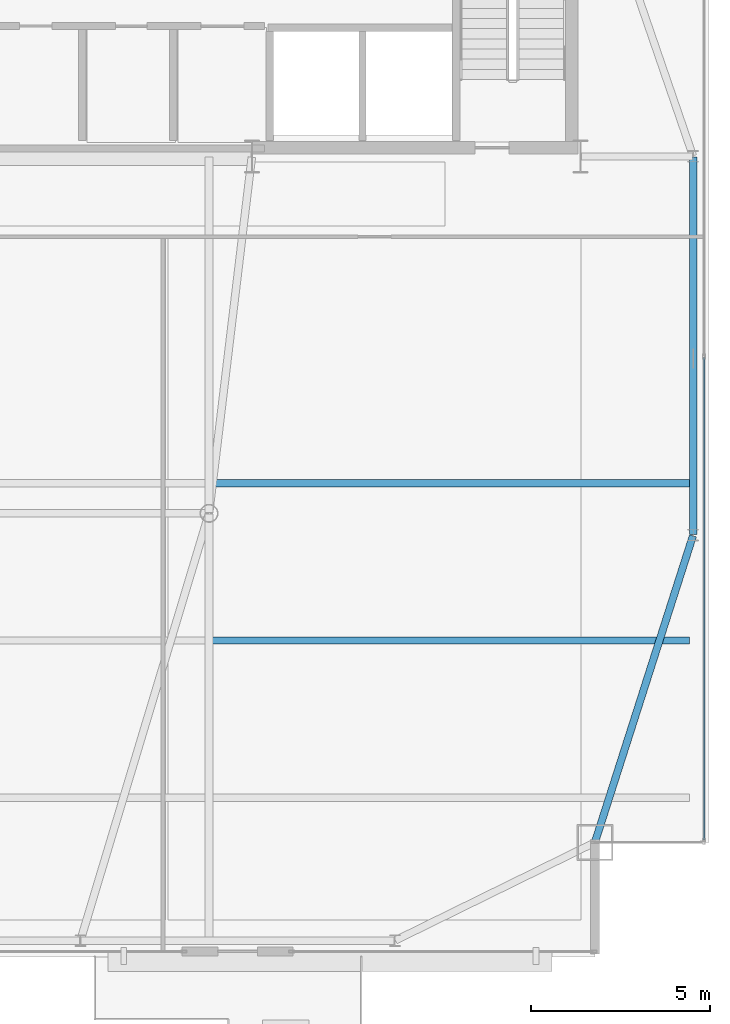
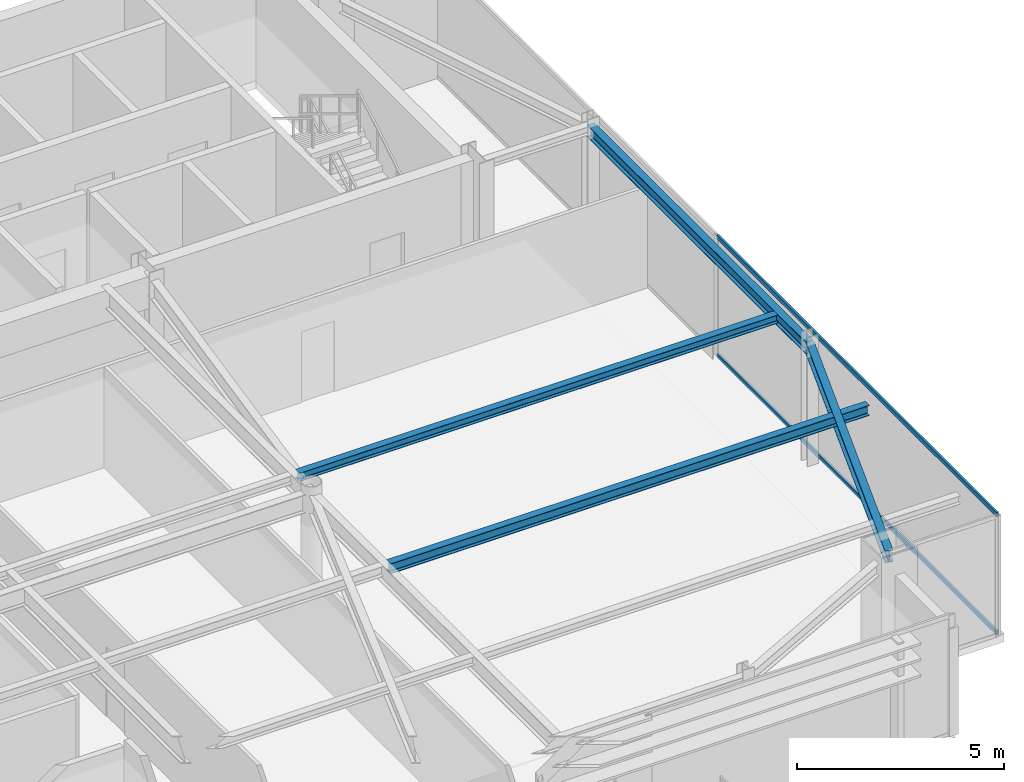
# One storey, part 13 of 23: 4 beams, 2 members, 1 element without a shape of its own.
"""IFC4 building model written with IfcOpenShell, lengths in metres."""

import ifcopenshell
import ifcopenshell.guid

model = None  # the IFC model being written
_history = None  # IfcOwnerHistory: only IFC2X3 demands one
_inside = {}  # id of a spatial element -> (the spatial element, [elements in it])
_under = {}  # id of a project, library or spatial element -> (it, [spatial elements below it])
_declared = {}  # id of a project -> (the project, [libraries it declares])
_typed = {}  # id of a type object -> (the type object, [elements of that type])
_made_of = {}  # id of a material, layer set ... -> (it, [elements and type objects made of it])


def new_model(schema):
    """Start an empty IFC model of exactly this schema.

    Asked for "IFC4X3", IfcOpenShell would pick the latest addendum, in which some entities
    have other attributes; the version numbers below select the first issue.
    IFC2X3 requires an IfcOwnerHistory on every rooted entity: one is made here for all.
    """
    global model, _history
    if schema == "IFC4X3":
        model = ifcopenshell.file(schema_version=(4, 3, 0, 0))
    else:
        model = ifcopenshell.file(schema=schema)
    _inside.clear()
    _under.clear()
    _declared.clear()
    _typed.clear()
    _made_of.clear()
    _history = None
    if model.schema == "IFC2X3":
        org = make("IfcOrganization", Name="unknown")
        user = make(
            "IfcPersonAndOrganization",
            ThePerson=make("IfcPerson", FamilyName="unknown"),
            TheOrganization=org,
        )
        app = make(
            "IfcApplication",
            ApplicationDeveloper=org,
            Version="unknown",
            ApplicationFullName="unknown",
            ApplicationIdentifier="unknown",
        )
        _history = make(
            "IfcOwnerHistory",
            OwningUser=user,
            OwningApplication=app,
            ChangeAction="ADDED",
            CreationDate=0,
        )
    return model


def make(cls, **values):
    """One entity of the class cls with the attributes given. An attribute that is None is left unset."""
    return model.create_entity(
        cls, **{name: value for name, value in values.items() if value is not None}
    )


def rooted(cls, **values):
    """An entity with a GlobalId (a new one), such as an element, a storey or a relation."""
    return make(cls, GlobalId=ifcopenshell.guid.new(), OwnerHistory=_history, **values)


def si_unit(unit_type, name, prefix=None):
    """IfcSIUnit, for example si_unit("LENGTHUNIT", "METRE", prefix="MILLI")."""
    return make("IfcSIUnit", UnitType=unit_type, Prefix=prefix, Name=name)


def assignment(units):
    """IfcUnitAssignment: the units of a project."""
    return None if units is None else make("IfcUnitAssignment", Units=units)


def point(xyz):
    """IfcCartesianPoint."""
    return None if xyz is None else make("IfcCartesianPoint", Coordinates=xyz)


def direction(xyz):
    """IfcDirection."""
    return None if xyz is None else make("IfcDirection", DirectionRatios=xyz)


def frame(location, z_axis=None, x_axis=None):
    """IfcAxis2Placement3D, a coordinate frame: its origin and axes. An axis left out is left unset."""
    return make(
        "IfcAxis2Placement3D",
        Location=point(location),
        Axis=direction(z_axis),
        RefDirection=direction(x_axis),
    )


def frame_2d(location, x_axis=None):
    """IfcAxis2Placement2D, a coordinate frame in the plane: its origin and x axis."""
    return make(
        "IfcAxis2Placement2D", Location=point(location), RefDirection=direction(x_axis)
    )


def origin():
    """The frame at (0, 0, 0) with its axes left unset."""
    return frame((0.0, 0.0, 0.0))


def origin_2d():
    """The frame at (0, 0) in the plane with its x axis left unset."""
    return frame_2d((0.0, 0.0))


def place(relative_to, where):
    """IfcLocalPlacement: puts the frame where relative to a parent placement (None: the world)."""
    return make(
        "IfcLocalPlacement", PlacementRelTo=relative_to, RelativePlacement=where
    )


def context(
    kind, dimensions, precision=None, world=None, true_north=None, identifier=None
):
    """IfcGeometricRepresentationContext, for example the 3D "Model" context."""
    return make(
        "IfcGeometricRepresentationContext",
        ContextIdentifier=identifier,
        ContextType=kind,
        CoordinateSpaceDimension=dimensions,
        Precision=precision,
        WorldCoordinateSystem=world,
        TrueNorth=true_north,
    )


def subcontext(parent, identifier, kind, view, scale=None):
    """IfcGeometricRepresentationSubContext, for example "Body" below "Model"."""
    return make(
        "IfcGeometricRepresentationSubContext",
        ContextIdentifier=identifier,
        ContextType=kind,
        ParentContext=parent,
        TargetScale=scale,
        TargetView=view,
    )


def project(units=None, contexts=None):
    """IfcProject with its units and contexts."""
    return rooted(
        "IfcProject",
        Name="project",
        RepresentationContexts=contexts,
        UnitsInContext=assignment(units),
    )


def spatial(cls, under=None, at=None, **own):
    """A site, building, storey or space (cls), placed at a placement, below another one or the project."""
    s = rooted(cls, ObjectPlacement=at, **own)
    if under is not None:
        _under.setdefault(under.id(), (under, []))[1].append(s)
    return s


def profile(cls, at=None, kind="AREA", **sizes):
    """A parametric profile (cls). Its sizes go by their IFC names, for example OverallWidth=200.0."""
    return make(cls, ProfileType=kind, Position=at, **sizes)


def hollow_rectangle(**sizes):
    """IfcRectangleHollowProfileDef."""
    return profile("IfcRectangleHollowProfileDef", **sizes)


def i_section(**sizes):
    """IfcIShapeProfileDef."""
    return profile("IfcIShapeProfileDef", **sizes)


def extrude(swept, where, along, depth):
    """IfcExtrudedAreaSolid: the profile swept, set in the frame where, extruded along a direction by depth."""
    return make(
        "IfcExtrudedAreaSolid",
        SweptArea=swept,
        Position=where,
        ExtrudedDirection=direction(along),
        Depth=depth,
    )


def shape(context_of_items, identifier, shape_type, items):
    """IfcShapeRepresentation: the items that make up one representation, for example the "Body"."""
    return make(
        "IfcShapeRepresentation",
        ContextOfItems=context_of_items,
        RepresentationIdentifier=identifier,
        RepresentationType=shape_type,
        Items=items,
    )


def source(mapping_origin, context_of_items, identifier, shape_type, items):
    """IfcRepresentationMap: a shape defined once, which mapped items show again and again."""
    return make(
        "IfcRepresentationMap",
        MappingOrigin=mapping_origin,
        MappedRepresentation=shape(context_of_items, identifier, shape_type, items),
    )


def transform(
    local_origin,
    x_axis=None,
    y_axis=None,
    z_axis=None,
    scale=None,
    scale2=None,
    scale3=None,
    uniform=True,
):
    """IfcCartesianTransformationOperator3D, or its non-uniform kind. x_axis, y_axis, z_axis: its Axis1, 2, 3."""
    if uniform:
        return make(
            "IfcCartesianTransformationOperator3D",
            Axis1=direction(x_axis),
            Axis2=direction(y_axis),
            LocalOrigin=point(local_origin),
            Scale=scale,
            Axis3=direction(z_axis),
        )
    return make(
        "IfcCartesianTransformationOperator3DnonUniform",
        Axis1=direction(x_axis),
        Axis2=direction(y_axis),
        LocalOrigin=point(local_origin),
        Scale=scale,
        Axis3=direction(z_axis),
        Scale2=scale2,
        Scale3=scale3,
    )


def mapped(mapping_source, mapping_target):
    """IfcMappedItem: shows the shape of a source again, moved by a transform."""
    return make(
        "IfcMappedItem", MappingSource=mapping_source, MappingTarget=mapping_target
    )


def material(Name=None, Category=None):
    """IfcMaterial."""
    return make("IfcMaterial", Name=Name, Category=Category)


def layer(
    of_material, thickness, ventilated=None, Name=None, Category=None, Priority=None
):
    """IfcMaterialLayer: one layer of a wall or slab, of a material (None: an air gap)."""
    return make(
        "IfcMaterialLayer",
        Material=of_material,
        LayerThickness=thickness,
        IsVentilated=ventilated,
        Name=Name,
        Category=Category,
        Priority=Priority,
    )


def layer_set(layers, Name=None):
    """IfcMaterialLayerSet."""
    return make("IfcMaterialLayerSet", MaterialLayers=layers, LayerSetName=Name)


def material_profile(
    of_material, cross_section, Name=None, Category=None, Priority=None
):
    """IfcMaterialProfile: a cross section and its material."""
    return make(
        "IfcMaterialProfile",
        Name=Name,
        Material=of_material,
        Profile=cross_section,
        Priority=Priority,
        Category=Category,
    )


def profile_set(profiles, Name=None, composite=None):
    """IfcMaterialProfileSet."""
    return make(
        "IfcMaterialProfileSet",
        Name=Name,
        MaterialProfiles=profiles,
        CompositeProfile=composite,
    )


def made_of(thing, what):
    """Note that an element or type object is made of a material, layer set ...; save() writes the relation."""
    if what is not None:
        _made_of.setdefault(what.id(), (what, []))[1].append(thing)
    return thing


def type_object(cls, material=None, **own):
    """A type object (cls), such as IfcWallType, which elements share."""
    return made_of(rooted(cls, **own), material)


def type_shapes(of_type, sources):
    """Give a type object the sources (RepresentationMaps) that its elements show as mapped items."""
    of_type.RepresentationMaps = sources


def element(
    cls,
    number,
    at=None,
    inside=None,
    cuts=None,
    type_object=None,
    material=None,
    context=None,
    identifier="Body",
    shape_type=None,
    held_by="IfcProductDefinitionShape",
    body=None,
    shapes=None,
    **own,
):
    """One element of the class cls, such as IfcWall. Its Tag is "e" and its number.

    at: its placement. inside: the storey or other place that contains it. cuts: it is an
    opening in that element (IfcRelVoidsElement). A single representation is given by context,
    identifier, shape_type and body (its items); several are given by shapes. held_by: the class
    of the entity that holds the representations. save() writes the other relations.
    """
    e = rooted(cls, Tag="e%d" % number, ObjectPlacement=at, **own)
    if body is not None:
        shapes = [shape(context, identifier, shape_type, body)]
    if shapes is not None:
        e.Representation = make(held_by, Representations=shapes)
    if inside is not None:
        _inside.setdefault(inside.id(), (inside, []))[1].append(e)
    if cuts is not None:
        rooted(
            "IfcRelVoidsElement", RelatingBuildingElement=cuts, RelatedOpeningElement=e
        )
    if type_object is not None:
        _typed.setdefault(type_object.id(), (type_object, []))[1].append(e)
    return made_of(e, material)


def aggregate(whole, parts):
    """IfcRelAggregates: a whole, such as a stair, and the parts it consists of."""
    return rooted("IfcRelAggregates", RelatingObject=whole, RelatedObjects=parts)


def save(model, path):
    """Write the relations noted so far, then the file.

    IfcRelAggregates (storeys below a building ...), IfcRelContainedInSpatialStructure (elements
    in a storey), IfcRelDefinesByType, IfcRelAssociatesMaterial and IfcRelDeclares: one each for
    every whole, place, type object, material and project.
    """
    for whole, parts in _under.values():
        aggregate(whole, parts)
    for where, things in _inside.values():
        rooted(
            "IfcRelContainedInSpatialStructure",
            RelatedElements=things,
            RelatingStructure=where,
        )
    for kind, things in _typed.values():
        rooted("IfcRelDefinesByType", RelatedObjects=things, RelatingType=kind)
    for what, things in _made_of.values():
        rooted("IfcRelAssociatesMaterial", RelatedObjects=things, RelatingMaterial=what)
    for by, libraries in _declared.values():
        rooted("IfcRelDeclares", RelatingContext=by, RelatedDefinitions=libraries)
    model.write(path)


model = new_model("IFC4")

# Units and contexts
model_context = context("Model", 3, precision=1e-05, world=origin(), true_north=direction((0.0, 1.0)))
body_context = subcontext(model_context, "Body", "Model", "MODEL_VIEW")
ifc_project = project(units=[si_unit("LENGTHUNIT", "METRE"), si_unit("AREAUNIT", "SQUARE_METRE"), si_unit("VOLUMEUNIT", "CUBIC_METRE"), si_unit("PLANEANGLEUNIT", "RADIAN"), si_unit("MASSUNIT", "GRAM", prefix="KILO")], contexts=[model_context])

# Site, building, storey
site_placement = place(None, origin())
site = spatial("IfcSite", under=ifc_project, at=site_placement, CompositionType="ELEMENT")
building_placement = place(site_placement, origin())
building = spatial("IfcBuilding", under=site, at=building_placement, Name="Varnel Quay Broadcast Tower", CompositionType="ELEMENT")
storey_placement = place(building_placement, frame((0.0, 0.0, 266.0)))
storey = spatial("IfcBuildingStorey", under=building, at=storey_placement, Name="L66", CompositionType="ELEMENT", Elevation=266.0)

# Beams
ifc_material_1 = material(Name="Structural Steel CSA G40.21 350W", Category="steel")
ifc_material_profile_1 = material_profile(ifc_material_1, i_section(OverallWidth=0.205078125, OverallDepth=0.35400390625, WebThickness=0.009521484375, FlangeThickness=0.016845703125, FilletRadius=0.012939453125, at=origin_2d()), Name="W360X79")
ifc_profile_set_1 = profile_set([ifc_material_profile_1], Name="Structural Steel CSA G40.21 350W")
beam_type_1 = type_object("IfcBeamType", Name="Beam_W360X79", PredefinedType="SPANDREL", material=ifc_profile_set_1)
shared_shape_1 = source(origin(), body_context, "Body", "SweptSolid", [
    extrude(i_section(OverallWidth=0.205078125, OverallDepth=0.35400390625, WebThickness=0.009521484375, FlangeThickness=0.016845703125, FilletRadius=0.012939453125, at=origin_2d()), origin(), (0.0, 0.0, 1.0), 8.989013671875),
])
beam_1_placement = place(storey_placement, frame((52.80615234375, 16.4189453125, 3.373046875), z_axis=(0.304568770162, 0.952490348635, 0.0), x_axis=(-0.952490348635, 0.304568770162, 0.0)))
element("IfcBeam", 1, at=beam_1_placement, inside=storey, type_object=beam_type_1, Name="L66 East Spandrel MC-SE-TC-E1", PredefinedType="SPANDREL", context=body_context, shape_type="MappedRepresentation", body=[
    mapped(shared_shape_1, transform((0.0, 0.0, 0.0), x_axis=(1.0, 0.0, 0.0), y_axis=(0.0, 1.0, 0.0), z_axis=(0.0, 0.0, 1.0), scale=1.0)),
])
shared_shape_2 = source(origin(), body_context, "Body", "SweptSolid", [
    extrude(i_section(OverallWidth=0.205078125, OverallDepth=0.35400390625, WebThickness=0.009521484375, FlangeThickness=0.016845703125, FilletRadius=0.012939453125, at=origin_2d()), origin(), (0.0, 0.0, 1.0), 10.56005859375),
])
type_shapes(beam_type_1, [shared_shape_1, shared_shape_2])
beam_2_placement = place(storey_placement, frame((55.550048828125, 25.02001953125, 3.373046875), z_axis=(0.0, 1.0, 0.0), x_axis=(-1.0, 0.0, 0.0)))
element("IfcBeam", 2, at=beam_2_placement, inside=storey, type_object=beam_type_1, Name="L66 East Spandrel TC-E1-TC-E2", PredefinedType="SPANDREL", context=body_context, shape_type="MappedRepresentation", body=[
    mapped(shared_shape_2, transform((0.0, 0.0, 0.0), x_axis=(1.0, 0.0, 0.0), y_axis=(0.0, 1.0, 0.0), z_axis=(0.0, 0.0, 1.0), scale=1.0)),
])
ifc_material_profile_2 = material_profile(ifc_material_1, i_section(OverallWidth=0.201904296875, OverallDepth=0.2470703125, WebThickness=0.00732421875, FlangeThickness=0.010986328125, FilletRadius=0.010986328125, at=origin_2d()), Name="W250X49")
ifc_profile_set_2 = profile_set([ifc_material_profile_2], Name="Structural Steel CSA G40.21 350W")
beam_type_2 = type_object("IfcBeamType", Name="Beam_W250X49", PredefinedType="JOIST", material=ifc_profile_set_2)
shared_shape_3 = source(origin(), body_context, "Body", "SweptSolid", [
    extrude(i_section(OverallWidth=0.201904296875, OverallDepth=0.2470703125, WebThickness=0.00732421875, FlangeThickness=0.010986328125, FilletRadius=0.010986328125, at=origin_2d()), origin(), (0.0, 0.0, 1.0), 13.351318359375),
])
type_shapes(beam_type_2, [shared_shape_3])
beam_3_placement = place(storey_placement, frame((42.10107421875, 26.449951171875, 3.426513671875), z_axis=(1.0, 0.0, 0.0), x_axis=(0.0, 1.0, 0.0)))
element("IfcBeam", 3, at=beam_3_placement, inside=storey, type_object=beam_type_2, Name="L66 East Floor Joist 3", PredefinedType="JOIST", context=body_context, shape_type="MappedRepresentation", body=[
    mapped(shared_shape_3, transform((0.0, 0.0, 0.0), x_axis=(1.0, 0.0, 0.0), y_axis=(0.0, 1.0, 0.0), z_axis=(0.0, 0.0, 1.0), scale=1.0)),
])
ifc_material_profile_3 = material_profile(ifc_material_1, i_section(OverallWidth=0.202880859375, OverallDepth=0.302978515625, WebThickness=0.007568359375, FlangeThickness=0.01318359375, FilletRadius=0.011962890625, at=origin_2d()), Name="W310X60")
ifc_profile_set_3 = profile_set([ifc_material_profile_3], Name="Structural Steel CSA G40.21 350W")
beam_type_3 = type_object("IfcBeamType", Name="Beam_W310X60", PredefinedType="JOIST", material=ifc_profile_set_3)
shared_shape_4 = source(origin(), body_context, "Body", "SweptSolid", [
    extrude(i_section(OverallWidth=0.202880859375, OverallDepth=0.302978515625, WebThickness=0.007568359375, FlangeThickness=0.01318359375, FilletRadius=0.011962890625, at=origin_2d()), origin(), (0.0, 0.0, 1.0), 13.351318359375),
])
type_shapes(beam_type_3, [shared_shape_4])
beam_4_placement = place(storey_placement, frame((42.10107421875, 22.050048828125, 3.3984375), z_axis=(1.0, 0.0, 0.0), x_axis=(0.0, 1.0, 0.0)))
element("IfcBeam", 4, at=beam_4_placement, inside=storey, type_object=beam_type_3, Name="L66 East Floor Joist 2", PredefinedType="JOIST", context=body_context, shape_type="MappedRepresentation", body=[
    mapped(shared_shape_4, transform((0.0, 0.0, 0.0), x_axis=(1.0, 0.0, 0.0), y_axis=(0.0, 1.0, 0.0), z_axis=(0.0, 0.0, 1.0), scale=1.0)),
])

# Curtain wall, members
ifc_material_2 = material(Name="Anodised Bronze Aluminium 6063-T6", Category="aluminium")
ifc_layer = layer(ifc_material_2, 0.18994140625, Name="Anodised Bronze Aluminium 6063-T6")
ifc_layer_set = layer_set([ifc_layer], Name="Anodised Bronze Aluminium 6063-T6")
curtain_wall_type = type_object("IfcCurtainWallType", Name="CW_UpperTower", PredefinedType="NOTDEFINED", material=ifc_layer_set)
curtain_wall_placement = place(storey_placement, origin())
curtain_wall = element("IfcCurtainWall", 5, at=curtain_wall_placement, inside=storey, type_object=curtain_wall_type, Name="L66 East Unitised Curtain Wall", PredefinedType="NOTDEFINED")
ifc_material_profile_4 = material_profile(ifc_material_2, hollow_rectangle(XDim=0.06005859375, YDim=0.125, WallThickness=0.0029296875, at=origin_2d()), Name="ALU60X125X3")
ifc_profile_set_4 = profile_set([ifc_material_profile_4], Name="Anodised Bronze Aluminium 6063-T6")
member_type = type_object("IfcMemberType", Name="Tran_CWS-03", PredefinedType="USERDEFINED", material=ifc_profile_set_4)
shared_shape_5 = source(origin(), body_context, "Body", "SweptSolid", [
    extrude(hollow_rectangle(XDim=0.06005859375, YDim=0.125, WallThickness=0.0029296875, at=origin_2d()), origin(), (0.0, 0.0, 1.0), 13.50244140625),
])
type_shapes(member_type, [shared_shape_5])
member_1_placement = place(storey_placement, frame((55.85009765625, 16.465087890625, 0.030029296875), z_axis=(0.0, 1.0, 0.0), x_axis=(-1.0, 0.0, 0.0)))
member_1 = element("IfcMember", 6, at=member_1_placement, type_object=member_type, Name="CWS-03 transom 1.1", ObjectType="TRANSOM", PredefinedType="USERDEFINED", context=body_context, shape_type="MappedRepresentation", body=[
    mapped(shared_shape_5, transform((0.0, 0.0, 0.0), x_axis=(1.0, 0.0, 0.0), y_axis=(0.0, 1.0, 0.0), z_axis=(0.0, 0.0, 1.0), scale=1.0)),
])
member_2_placement = place(storey_placement, frame((55.85009765625, 16.465087890625, 3.52001953125), z_axis=(0.0, 1.0, 0.0), x_axis=(-1.0, 0.0, 0.0)))
member_2 = element("IfcMember", 7, at=member_2_placement, type_object=member_type, Name="CWS-03 transom 1.2", ObjectType="TRANSOM", PredefinedType="USERDEFINED", context=body_context, shape_type="MappedRepresentation", body=[
    mapped(shared_shape_5, transform((0.0, 0.0, 0.0), x_axis=(1.0, 0.0, 0.0), y_axis=(0.0, 1.0, 0.0), z_axis=(0.0, 0.0, 1.0), scale=1.0)),
])
aggregate(curtain_wall, [member_1, member_2])

save(model, "model.ifc")
